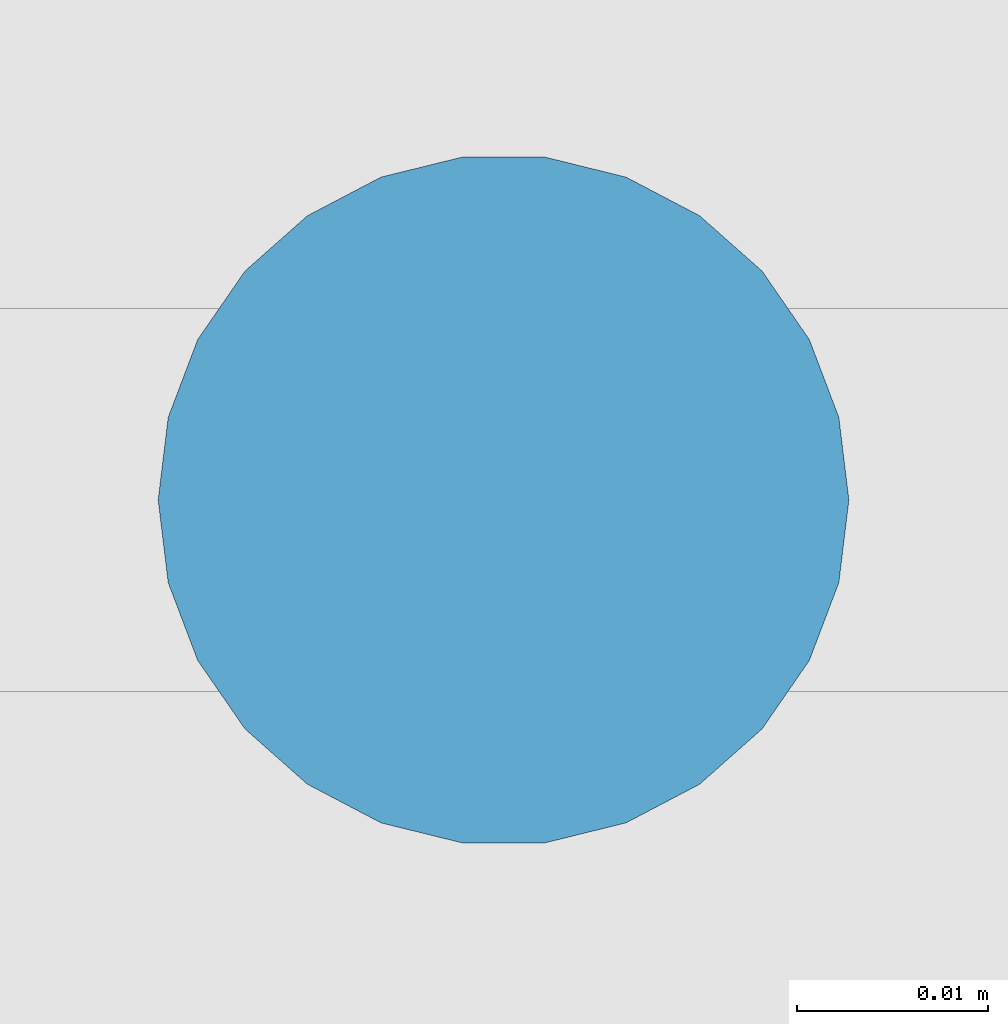
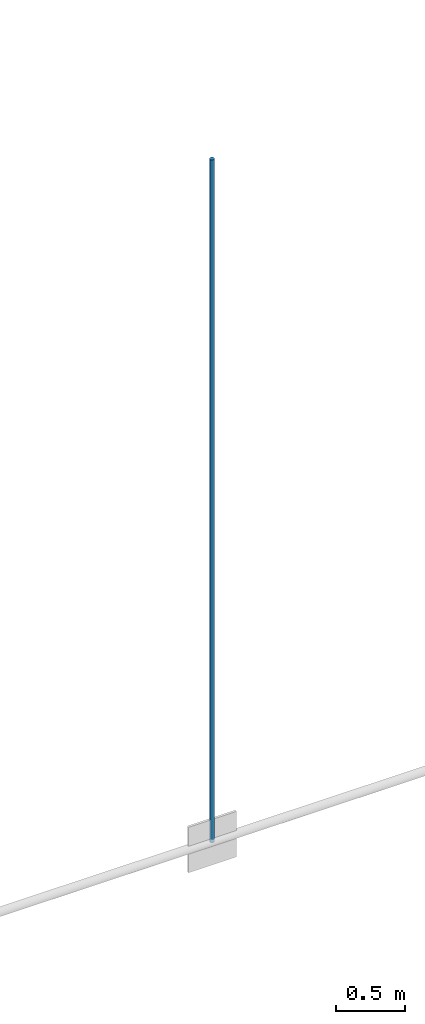
# One storey, part 67 of 321: 1 member.
"""IFC4 building model written with IfcOpenShell, lengths in metres."""

from ifc_helpers import new_model, si_unit, direction, frame, origin, origin_2d, place, context, subcontext, project, spatial, circle, extrude, material, material_profile, profile_set, type_object, element, save


model = new_model("IFC4")

# Units and contexts
model_context = context("Model", 3, precision=1e-05, world=origin(), true_north=direction((0.0, 1.0)))
body_context = subcontext(model_context, "Body", "Model", "MODEL_VIEW")
ifc_project = project(units=[si_unit("LENGTHUNIT", "METRE"), si_unit("AREAUNIT", "SQUARE_METRE"), si_unit("VOLUMEUNIT", "CUBIC_METRE"), si_unit("PLANEANGLEUNIT", "RADIAN"), si_unit("MASSUNIT", "GRAM", prefix="KILO")], contexts=[model_context])

# Site, building, storey
site_placement = place(None, origin())
site = spatial("IfcSite", under=ifc_project, at=site_placement, CompositionType="ELEMENT")
building_placement = place(site_placement, origin())
building = spatial("IfcBuilding", under=site, at=building_placement, Name="Ravi Spectrum Wholesale Market", CompositionType="ELEMENT")
storey_placement = place(building_placement, frame((0.0, 0.0, 10.800048828125)))
storey = spatial("IfcBuildingStorey", under=building, at=storey_placement, Name="L02", CompositionType="ELEMENT", Elevation=10.800048828125)

# Member
ifc_material = material(Name="Steel S355", Category="steel")
ifc_material_profile = material_profile(ifc_material, circle(Radius=0.01806640625, at=origin_2d()))
ifc_profile_set = profile_set([ifc_material_profile], Name="Steel S355")
member_type = type_object("IfcMemberType", Name="ROD 36 hanger", PredefinedType="STRUT", material=ifc_profile_set)
member_placement = place(storey_placement, frame((70.0, 90.0, 0.023193359375), z_axis=(0.0, 0.0, 1.0), x_axis=(1.0, 0.0, 0.0)))
element("IfcMember", 1, at=member_placement, inside=storey, type_object=member_type, Name="H1-MB-L02-484", PredefinedType="STRUT", context=body_context, shape_type="SweptSolid", body=[
    extrude(circle(Radius=0.01806640625, at=origin_2d()), origin(), (0.0, 0.0, 1.0), 6.002197265625),
])

save(model, "model.ifc")
